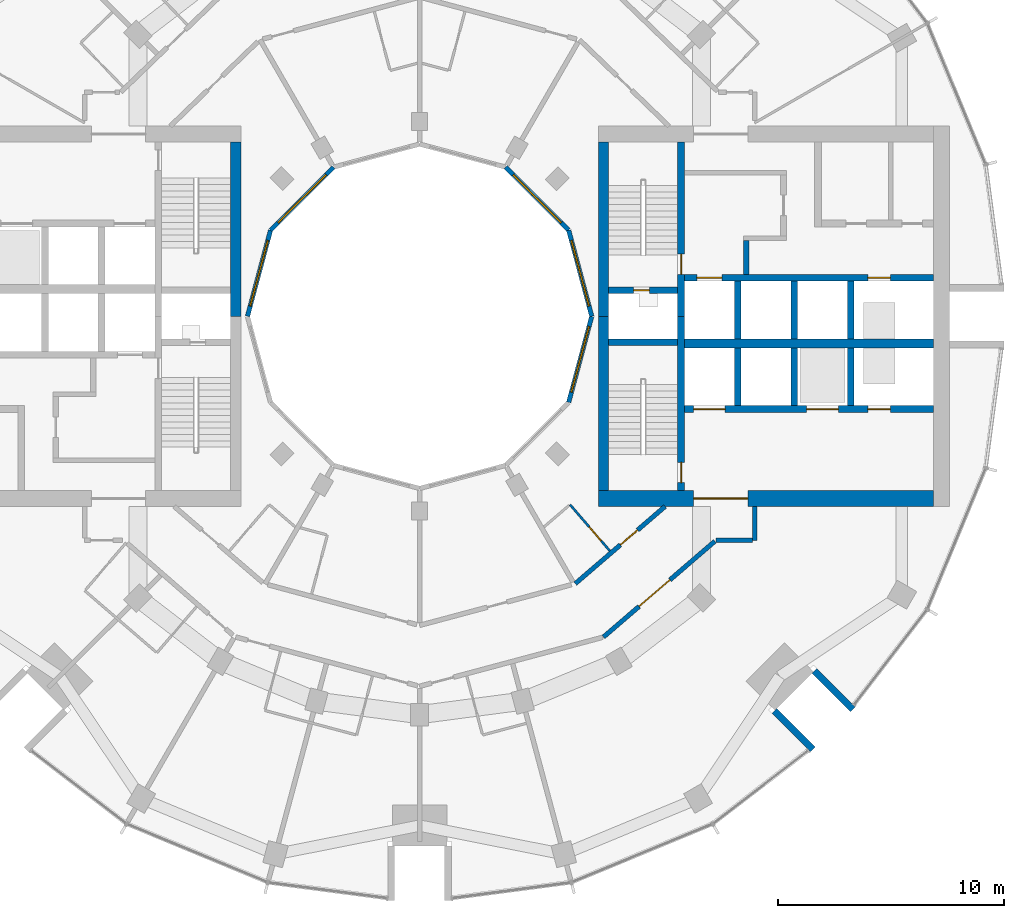
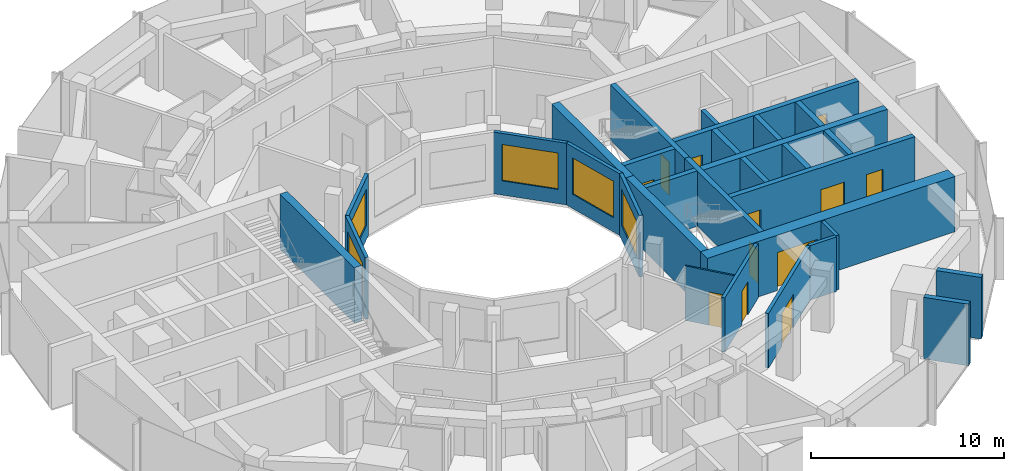
# One storey, part 10 of 15: 30 walls, 12 doors, 5 windows, 17 openings.
"""IFC4 building model written with IfcOpenShell, lengths in metres."""

from ifc_helpers import new_model, si_unit, direction, frame, frame_2d, origin, place, context, subcontext, project, spatial, rectangle, extrude, material, layer, layer_set, type_object, element, fill, save


model = new_model("IFC4")

# Units and contexts
model_context = context("Model", 3, precision=1e-05, world=origin(), true_north=direction((0.0, 1.0)))
body_context = subcontext(model_context, "Body", "Model", "MODEL_VIEW")
ifc_project = project(units=[si_unit("LENGTHUNIT", "METRE"), si_unit("AREAUNIT", "SQUARE_METRE"), si_unit("VOLUMEUNIT", "CUBIC_METRE"), si_unit("PLANEANGLEUNIT", "RADIAN"), si_unit("MASSUNIT", "GRAM", prefix="KILO")], contexts=[model_context])

# Site, building, storey
site_placement = place(None, origin())
site = spatial("IfcSite", under=ifc_project, at=site_placement, CompositionType="ELEMENT")
building_placement = place(site_placement, origin())
building = spatial("IfcBuilding", under=site, at=building_placement, Name="Torre Brocal", CompositionType="ELEMENT")
storey_placement = place(building_placement, frame((0.0, 0.0, 145.800048828125)))
storey = spatial("IfcBuildingStorey", under=building, at=storey_placement, Name="L34", CompositionType="ELEMENT", Elevation=145.800048828125)

# Wall
ifc_material_1 = material(Name="Concrete C70", Category="concrete")
ifc_layer_1 = layer(ifc_material_1, 0.25)
ifc_layer_set_1 = layer_set([ifc_layer_1], Name="Concrete C70")
wall_type_1 = type_object("IfcWallType", Name="CORE WALL 250 C70 UNDER 400 SLAB", PredefinedType="SHEAR", material=ifc_layer_set_1)
wall_1_placement = place(storey_placement, frame((94.425048828125, 76.85009765625, 0.0), z_axis=(0.0, 0.0, 1.0), x_axis=(0.0, 1.0, 0.0)))
element("IfcWall", 1, at=wall_1_placement, inside=storey, type_object=wall_type_1, Name="Wall CW250-70-S400", PredefinedType="SHEAR", context=body_context, shape_type="SweptSolid", body=[
    extrude(rectangle(XDim=1.5, YDim=0.25, at=frame_2d((0.75, 0.0))), origin(), (0.0, 0.0, 1.0), 3.5),
])

# Wall, opening, door
ifc_material_2 = material(Name="Concrete C70", Category="concrete")
ifc_layer_2 = layer(ifc_material_2, 0.300048828125)
ifc_layer_set_2 = layer_set([ifc_layer_2], Name="Concrete C70")
wall_type_2 = type_object("IfcWallType", Name="CORE WALL 300 C70 UNDER 400 SLAB", PredefinedType="SHEAR", material=ifc_layer_set_2)
wall_2_placement = place(storey_placement, frame((91.550048828125, 75.0, 0.0), z_axis=(0.0, 0.0, 1.0), x_axis=(0.0, 1.0, 0.0)))
wall_2 = element("IfcWall", 2, at=wall_2_placement, inside=storey, type_object=wall_type_2, Name="Wall CW300-70-S400", PredefinedType="SHEAR", context=body_context, shape_type="SweptSolid", body=[
    extrude(rectangle(XDim=7.699951171875, YDim=0.300048828125, at=frame_2d((3.85009765625, 0.0))), origin(), (0.0, 0.0, 1.0), 3.5),
])
opening_1_placement = place(wall_2_placement, frame((1.85009765625, 0.0, 0.0)))
opening_1 = element("IfcOpeningElement", 3, at=opening_1_placement, cuts=wall_2, Name="Opening E-D02", PredefinedType="OPENING", context=body_context, shape_type="SweptSolid", body=[
    extrude(rectangle(XDim=0.89990234375, YDim=2.10009765625, at=frame_2d((0.449951171875, 1.050048828125))), frame((0.0, 0.159912109375, 0.0), z_axis=(0.0, -1.0, 0.0), x_axis=(1.0, 0.0, 0.0)), (0.0, 0.0, 1.0), 0.320068359375),
])
ifc_material_3 = material(Name="Steel A653", Category="steel")
door_type_1 = type_object("IfcDoorType", Name="STAIR DOOR FD120 900X2100", OperationType="SINGLE_SWING_RIGHT", PredefinedType="DOOR", material=ifc_material_3)
door_1_placement = place(opening_1_placement, origin())
door_1 = element("IfcDoor", 4, at=door_1_placement, inside=storey, type_object=door_type_1, Name="Door E-D02", OperationType="SINGLE_SWING_LEFT", OverallHeight=2.10009765625, OverallWidth=0.89990234375, PredefinedType="DOOR", context=body_context, shape_type="SweptSolid", body=[
    extrude(rectangle(XDim=0.89990234375, YDim=2.10009765625, at=frame_2d((0.449951171875, 1.050048828125))), frame((0.0, 0.02490234375, 0.0), z_axis=(0.0, -1.0, 0.0), x_axis=(1.0, 0.0, 0.0)), (0.0, 0.0, 1.0), 0.050048828125),
])
fill(opening_1, door_1)

wall_3_placement = place(storey_placement, frame((91.550048828125, 67.300048828125, 0.0), z_axis=(0.0, 0.0, 1.0), x_axis=(0.0, 1.0, 0.0)))
wall_3 = element("IfcWall", 5, at=wall_3_placement, inside=storey, type_object=wall_type_2, Name="Wall CW300-70-S400", PredefinedType="SHEAR", context=body_context, shape_type="SweptSolid", body=[
    extrude(rectangle(XDim=7.699951171875, YDim=0.300048828125, at=frame_2d((3.85009765625, 0.0))), origin(), (0.0, 0.0, 1.0), 3.5),
])
opening_2_placement = place(wall_3_placement, frame((0.35009765625, 0.0, 0.0)))
opening_2 = element("IfcOpeningElement", 6, at=opening_2_placement, cuts=wall_3, Name="Opening E-D03", PredefinedType="OPENING", context=body_context, shape_type="SweptSolid", body=[
    extrude(rectangle(XDim=0.89990234375, YDim=2.10009765625, at=frame_2d((0.449951171875, 1.050048828125))), frame((0.0, 0.159912109375, 0.0), z_axis=(0.0, -1.0, 0.0), x_axis=(1.0, 0.0, 0.0)), (0.0, 0.0, 1.0), 0.320068359375),
])
door_2_placement = place(opening_2_placement, origin())
door_2 = element("IfcDoor", 7, at=door_2_placement, inside=storey, type_object=door_type_1, Name="Door E-D03", OperationType="SINGLE_SWING_LEFT", OverallHeight=2.10009765625, OverallWidth=0.89990234375, PredefinedType="DOOR", context=body_context, shape_type="SweptSolid", body=[
    extrude(rectangle(XDim=0.89990234375, YDim=2.10009765625, at=frame_2d((0.449951171875, 1.050048828125))), frame((0.0, 0.02490234375, 0.0), z_axis=(0.0, -1.0, 0.0), x_axis=(1.0, 0.0, 0.0)), (0.0, 0.0, 1.0), 0.050048828125),
])
fill(opening_2, door_2)

wall_4_placement = place(storey_placement, frame((88.35009765625, 76.14990234375, 0.0), z_axis=(0.0, 0.0, 1.0), x_axis=(1.0, 0.0, 0.0)))
wall_4 = element("IfcWall", 8, at=wall_4_placement, inside=storey, type_object=wall_type_2, Name="Wall CW300-70-S400", PredefinedType="SHEAR", context=body_context, shape_type="SweptSolid", body=[
    extrude(rectangle(XDim=3.0498046875, YDim=0.300048828125, at=frame_2d((1.52490234375, 0.0))), origin(), (0.0, 0.0, 1.0), 3.5),
])
opening_3_placement = place(wall_4_placement, frame((1.10009765625, 0.0, 0.0)))
opening_3 = element("IfcOpeningElement", 9, at=opening_3_placement, cuts=wall_4, Name="Opening E-D01", PredefinedType="OPENING", context=body_context, shape_type="SweptSolid", body=[
    extrude(rectangle(XDim=0.699951171875, YDim=2.0, at=frame_2d((0.35009765625, 1.0))), frame((0.0, 0.159912109375, 0.0), z_axis=(0.0, -1.0, 0.0), x_axis=(1.0, 0.0, 0.0)), (0.0, 0.0, 1.0), 0.320068359375),
])
ifc_material_4 = material(Name="Steel A653", Category="steel")
door_type_2 = type_object("IfcDoorType", Name="RISER DOOR FD120 700X2000", OperationType="SINGLE_SWING_LEFT", PredefinedType="DOOR", material=ifc_material_4)
door_3_placement = place(opening_3_placement, frame((0.699951171875, 0.0, 0.0), z_axis=(0.0, 0.0, 1.0), x_axis=(-1.0, 0.0, 0.0)))
door_3 = element("IfcDoor", 10, at=door_3_placement, inside=storey, type_object=door_type_2, Name="Door E-D01", OperationType="SINGLE_SWING_RIGHT", OverallHeight=2.0, OverallWidth=0.699951171875, PredefinedType="DOOR", context=body_context, shape_type="SweptSolid", body=[
    extrude(rectangle(XDim=0.699951171875, YDim=2.0, at=frame_2d((0.35009765625, 1.0))), frame((0.0, 0.02490234375, 0.0), z_axis=(0.0, -1.0, 0.0), x_axis=(1.0, 0.0, 0.0)), (0.0, 0.0, 1.0), 0.050048828125),
])
fill(opening_3, door_3)

# Wall
wall_5_placement = place(storey_placement, frame((88.35009765625, 73.85009765625, 0.0), z_axis=(0.0, 0.0, 1.0), x_axis=(1.0, 0.0, 0.0)))
element("IfcWall", 11, at=wall_5_placement, inside=storey, type_object=wall_type_2, Name="Wall CW300-70-S400", PredefinedType="SHEAR", context=body_context, shape_type="SweptSolid", body=[
    extrude(rectangle(XDim=3.0498046875, YDim=0.300048828125, at=frame_2d((1.52490234375, 0.0))), origin(), (0.0, 0.0, 1.0), 3.5),
])

# Wall, openings, doors
wall_6_placement = place(storey_placement, frame((91.699951171875, 76.699951171875, 0.0), z_axis=(0.0, 0.0, 1.0), x_axis=(1.0, 0.0, 0.0)))
wall_6 = element("IfcWall", 12, at=wall_6_placement, inside=storey, type_object=wall_type_2, Name="Wall CW300-70-S400", PredefinedType="SHEAR", context=body_context, shape_type="SweptSolid", body=[
    extrude(rectangle(XDim=11.0, YDim=0.300048828125, at=frame_2d((5.5, 0.0))), origin(), (0.0, 0.0, 1.0), 3.5),
])
opening_4_placement = place(wall_6_placement, frame((0.550048828125, 0.0, 0.0)))
opening_4 = element("IfcOpeningElement", 13, at=opening_4_placement, cuts=wall_6, Name="Opening LD", PredefinedType="OPENING", context=body_context, shape_type="SweptSolid", body=[
    extrude(rectangle(XDim=1.10009765625, YDim=2.10009765625, at=frame_2d((0.550048828125, 1.050048828125))), frame((0.0, 0.159912109375, 0.0), z_axis=(0.0, -1.0, 0.0), x_axis=(1.0, 0.0, 0.0)), (0.0, 0.0, 1.0), 0.320068359375),
])
opening_5_placement = place(wall_6_placement, frame((8.10009765625, 0.0, 0.0)))
opening_5 = element("IfcOpeningElement", 14, at=opening_5_placement, cuts=wall_6, Name="Opening LD10", PredefinedType="OPENING", context=body_context, shape_type="SweptSolid", body=[
    extrude(rectangle(XDim=1.0, YDim=2.10009765625, at=frame_2d((0.5, 1.050048828125))), frame((0.0, 0.159912109375, 0.0), z_axis=(0.0, -1.0, 0.0), x_axis=(1.0, 0.0, 0.0)), (0.0, 0.0, 1.0), 0.320068359375),
])
ifc_material_5 = material(Name="Stainless steel AISI 316", Category="steel")
door_type_3 = type_object("IfcDoorType", Name="LIFT LANDING DOOR 1000X2100", OperationType="DOUBLE_DOOR_SLIDING", PredefinedType="DOOR", material=ifc_material_5)
door_4_placement = place(opening_5_placement, origin())
door_4 = element("IfcDoor", 15, at=door_4_placement, inside=storey, type_object=door_type_3, Name="Door LD10", OperationType="DOUBLE_DOOR_SLIDING", OverallHeight=2.10009765625, OverallWidth=1.0, PredefinedType="DOOR", context=body_context, shape_type="SweptSolid", body=[
    extrude(rectangle(XDim=1.0, YDim=2.10009765625, at=frame_2d((0.5, 1.050048828125))), frame((0.0, 0.02490234375, 0.0), z_axis=(0.0, -1.0, 0.0), x_axis=(1.0, 0.0, 0.0)), (0.0, 0.0, 1.0), 0.050048828125),
])
fill(opening_5, door_4)
ifc_material_6 = material(Name="Stainless steel AISI 316", Category="steel")
door_type_4 = type_object("IfcDoorType", Name="LIFT LANDING DOOR 1100X2100", OperationType="DOUBLE_DOOR_SLIDING", PredefinedType="DOOR", material=ifc_material_6)
door_5_placement = place(opening_4_placement, origin())
door_5 = element("IfcDoor", 16, at=door_5_placement, inside=storey, type_object=door_type_4, Name="Door LD", OperationType="DOUBLE_DOOR_SLIDING", OverallHeight=2.10009765625, OverallWidth=1.10009765625, PredefinedType="DOOR", context=body_context, shape_type="SweptSolid", body=[
    extrude(rectangle(XDim=1.10009765625, YDim=2.10009765625, at=frame_2d((0.550048828125, 1.050048828125))), frame((0.0, 0.02490234375, 0.0), z_axis=(0.0, -1.0, 0.0), x_axis=(1.0, 0.0, 0.0)), (0.0, 0.0, 1.0), 0.050048828125),
])
fill(opening_4, door_5)

wall_7_placement = place(storey_placement, frame((91.699951171875, 70.89990234375, 0.0), z_axis=(0.0, 0.0, 1.0), x_axis=(1.0, 0.0, 0.0)))
wall_7 = element("IfcWall", 17, at=wall_7_placement, inside=storey, type_object=wall_type_2, Name="Wall CW300-70-S400", PredefinedType="SHEAR", context=body_context, shape_type="SweptSolid", body=[
    extrude(rectangle(XDim=11.0, YDim=0.300048828125, at=frame_2d((5.5, 0.0))), origin(), (0.0, 0.0, 1.0), 3.5),
])
opening_6_placement = place(wall_7_placement, frame((0.39990234375, 0.0, 0.0)))
opening_6 = element("IfcOpeningElement", 18, at=opening_6_placement, cuts=wall_7, Name="Opening LD14", PredefinedType="OPENING", context=body_context, shape_type="SweptSolid", body=[
    extrude(rectangle(XDim=1.39990234375, YDim=2.10009765625, at=frame_2d((0.699951171875, 1.050048828125))), frame((0.0, 0.159912109375, 0.0), z_axis=(0.0, -1.0, 0.0), x_axis=(1.0, 0.0, 0.0)), (0.0, 0.0, 1.0), 0.320068359375),
])
opening_7_placement = place(wall_7_placement, frame((5.39990234375, 0.0, 0.0)))
opening_7 = element("IfcOpeningElement", 19, at=opening_7_placement, cuts=wall_7, Name="Opening LD14", PredefinedType="OPENING", context=body_context, shape_type="SweptSolid", body=[
    extrude(rectangle(XDim=1.39990234375, YDim=2.10009765625, at=frame_2d((0.699951171875, 1.050048828125))), frame((0.0, 0.159912109375, 0.0), z_axis=(0.0, -1.0, 0.0), x_axis=(1.0, 0.0, 0.0)), (0.0, 0.0, 1.0), 0.320068359375),
])
opening_8_placement = place(wall_7_placement, frame((8.10009765625, 0.0, 0.0)))
opening_8 = element("IfcOpeningElement", 20, at=opening_8_placement, cuts=wall_7, Name="Opening LD10", PredefinedType="OPENING", context=body_context, shape_type="SweptSolid", body=[
    extrude(rectangle(XDim=1.0, YDim=2.10009765625, at=frame_2d((0.5, 1.050048828125))), frame((0.0, 0.159912109375, 0.0), z_axis=(0.0, -1.0, 0.0), x_axis=(1.0, 0.0, 0.0)), (0.0, 0.0, 1.0), 0.320068359375),
])
door_6_placement = place(opening_8_placement, origin())
door_6 = element("IfcDoor", 21, at=door_6_placement, inside=storey, type_object=door_type_3, Name="Door LD10", OperationType="DOUBLE_DOOR_SLIDING", OverallHeight=2.10009765625, OverallWidth=1.0, PredefinedType="DOOR", context=body_context, shape_type="SweptSolid", body=[
    extrude(rectangle(XDim=1.0, YDim=2.10009765625, at=frame_2d((0.5, 1.050048828125))), frame((0.0, 0.02490234375, 0.0), z_axis=(0.0, -1.0, 0.0), x_axis=(1.0, 0.0, 0.0)), (0.0, 0.0, 1.0), 0.050048828125),
])
fill(opening_8, door_6)
ifc_material_7 = material(Name="Stainless steel AISI 316", Category="steel")
door_type_5 = type_object("IfcDoorType", Name="LIFT LANDING DOOR 1400X2100", OperationType="DOUBLE_DOOR_SLIDING", PredefinedType="DOOR", material=ifc_material_7)
door_7_placement = place(opening_6_placement, origin())
door_7 = element("IfcDoor", 22, at=door_7_placement, inside=storey, type_object=door_type_5, Name="Door LD14", OperationType="DOUBLE_DOOR_SLIDING", OverallHeight=2.10009765625, OverallWidth=1.39990234375, PredefinedType="DOOR", context=body_context, shape_type="SweptSolid", body=[
    extrude(rectangle(XDim=1.39990234375, YDim=2.10009765625, at=frame_2d((0.699951171875, 1.050048828125))), frame((0.0, 0.02490234375, 0.0), z_axis=(0.0, -1.0, 0.0), x_axis=(1.0, 0.0, 0.0)), (0.0, 0.0, 1.0), 0.050048828125),
])
fill(opening_6, door_7)
door_8_placement = place(opening_7_placement, origin())
door_8 = element("IfcDoor", 23, at=door_8_placement, inside=storey, type_object=door_type_5, Name="Door LD14", OperationType="DOUBLE_DOOR_SLIDING", OverallHeight=2.10009765625, OverallWidth=1.39990234375, PredefinedType="DOOR", context=body_context, shape_type="SweptSolid", body=[
    extrude(rectangle(XDim=1.39990234375, YDim=2.10009765625, at=frame_2d((0.699951171875, 1.050048828125))), frame((0.0, 0.02490234375, 0.0), z_axis=(0.0, -1.0, 0.0), x_axis=(1.0, 0.0, 0.0)), (0.0, 0.0, 1.0), 0.050048828125),
])
fill(opening_7, door_8)

# Walls
for number, where, z_axis, x_axis, name in (
    (24, (94.050048828125, 74.0, 0.0), (0.0, 0.0, 1.0), (0.0, 1.0, 0.0), "Wall CW300-70-S400"),
    (25, (96.550048828125, 74.0, 0.0), (0.0, 0.0, 1.0), (0.0, 1.0, 0.0), "Wall CW300-70-S400"),
    (26, (99.050048828125, 74.0, 0.0), (0.0, 0.0, 1.0), (0.0, 1.0, 0.0), "Wall CW300-70-S400"),
    (27, (94.050048828125, 71.050048828125, 0.0), (0.0, 0.0, 1.0), (0.0, 1.0, 0.0), "Wall CW300-70-S400"),
    (28, (96.550048828125, 71.050048828125, 0.0), (0.0, 0.0, 1.0), (0.0, 1.0, 0.0), "Wall CW300-70-S400"),
    (29, (99.050048828125, 71.050048828125, 0.0), (0.0, 0.0, 1.0), (0.0, 1.0, 0.0), "Wall CW300-70-S400"),
):
    element("IfcWall", number, at=place(storey_placement, frame(where, z_axis=z_axis, x_axis=x_axis)), inside=storey, type_object=wall_type_2, Name=name, PredefinedType="SHEAR", context=body_context, shape_type="SweptSolid", body=[
        extrude(rectangle(XDim=2.550048828125, YDim=0.300048828125, at=frame_2d((1.27490234375, 0.0))), origin(), (0.0, 0.0, 1.0), 3.5),
    ])
ifc_material_8 = material(Name="Concrete C70", Category="concrete")
ifc_layer_3 = layer(ifc_material_8, 0.39990234375)
ifc_layer_set_3 = layer_set([ifc_layer_3], Name="Concrete C70")
wall_type_3 = type_object("IfcWallType", Name="CORE WALL 400 C70 UNDER 400 SLAB", PredefinedType="SHEAR", material=ifc_layer_set_3)
wall_8_placement = place(storey_placement, frame((91.699951171875, 73.800048828125, 0.0), z_axis=(0.0, 0.0, 1.0), x_axis=(1.0, 0.0, 0.0)))
element("IfcWall", 30, at=wall_8_placement, inside=storey, type_object=wall_type_3, Name="Wall CW400-70-S400", PredefinedType="SHEAR", context=body_context, shape_type="SweptSolid", body=[
    extrude(rectangle(XDim=11.0, YDim=0.39990234375, at=frame_2d((5.5, 0.0))), origin(), (0.0, 0.0, 1.0), 3.5),
])
ifc_material_9 = material(Name="Concrete C70", Category="concrete")
ifc_layer_4 = layer(ifc_material_9, 0.449951171875)
ifc_layer_set_4 = layer_set([ifc_layer_4], Name="Concrete C70")
wall_type_4 = type_object("IfcWallType", Name="CORE WALL 450 C70 UNDER 400 SLAB", PredefinedType="SHEAR", material=ifc_layer_set_4)
for number, where, z_axis, x_axis, name in (
    (31, (88.125, 75.0, 0.0), (0.0, 0.0, 1.0), (0.0, 1.0, 0.0), "Wall CW450-70-S400"),
    (32, (88.125, 67.300048828125, 0.0), (0.0, 0.0, 1.0), (0.0, 1.0, 0.0), "Wall CW450-70-S400"),
    (33, (71.875, 82.699951171875, 0.0), (0.0, 0.0, 1.0), (0.0, -1.0, 0.0), "Wall CW450-70-S400"),
):
    element("IfcWall", number, at=place(storey_placement, frame(where, z_axis=z_axis, x_axis=x_axis)), inside=storey, type_object=wall_type_4, Name=name, PredefinedType="SHEAR", context=body_context, shape_type="SweptSolid", body=[
        extrude(rectangle(XDim=7.699951171875, YDim=0.449951171875, at=frame_2d((3.85009765625, 0.0))), origin(), (0.0, 0.0, 1.0), 3.5),
    ])

# Wall, opening, door
ifc_material_10 = material(Name="Concrete C70", Category="concrete")
ifc_layer_5 = layer(ifc_material_10, 0.699951171875)
ifc_layer_set_5 = layer_set([ifc_layer_5], Name="Concrete C70")
wall_type_5 = type_object("IfcWallType", Name="CORE WALL 700 C70 UNDER 400 SLAB", PredefinedType="SHEAR", material=ifc_layer_set_5)
wall_9_placement = place(storey_placement, frame((87.89990234375, 66.949951171875, 0.0), z_axis=(0.0, 0.0, 1.0), x_axis=(1.0, 0.0, 0.0)))
wall_9 = element("IfcWall", 34, at=wall_9_placement, inside=storey, type_object=wall_type_5, Name="Wall CW700-70-S400", PredefinedType="SHEAR", context=body_context, shape_type="SweptSolid", body=[
    extrude(rectangle(XDim=14.800048828125, YDim=0.699951171875, at=frame_2d((7.39990234375, 0.0))), origin(), (0.0, 0.0, 1.0), 3.5),
])
opening_9_placement = place(wall_9_placement, frame((4.199951171875, 0.0, 0.0)))
opening_9 = element("IfcOpeningElement", 35, at=opening_9_placement, cuts=wall_9, Name="Opening E-D27", PredefinedType="OPENING", context=body_context, shape_type="SweptSolid", body=[
    extrude(rectangle(XDim=2.39990234375, YDim=2.39990234375, at=frame_2d((1.199951171875, 1.199951171875))), frame((0.0, 0.35986328125, 0.0), z_axis=(0.0, -1.0, 0.0), x_axis=(1.0, 0.0, 0.0)), (0.0, 0.0, 1.0), 0.719970703125),
])
ifc_material_11 = material(Name="Steel A653", Category="steel")
door_type_6 = type_object("IfcDoorType", Name="DOUBLE FIRE DOOR FD90 2400X2400", OperationType="DOUBLE_DOOR_SINGLE_SWING", PredefinedType="DOOR", material=ifc_material_11)
door_9_placement = place(opening_9_placement, origin())
door_9 = element("IfcDoor", 36, at=door_9_placement, inside=storey, type_object=door_type_6, Name="Door E-D27", OperationType="DOUBLE_DOOR_SINGLE_SWING", OverallHeight=2.39990234375, OverallWidth=2.39990234375, PredefinedType="DOOR", context=body_context, shape_type="SweptSolid", body=[
    extrude(rectangle(XDim=2.39990234375, YDim=2.39990234375, at=frame_2d((1.199951171875, 1.199951171875))), frame((0.0, 0.02490234375, 0.0), z_axis=(0.0, -1.0, 0.0), x_axis=(1.0, 0.0, 0.0)), (0.0, 0.0, 1.0), 0.050048828125),
])
fill(opening_9, door_9)

# Walls
ifc_material_12 = material(Name="Concrete C70", Category="concrete")
ifc_layer_6 = layer(ifc_material_12, 0.300048828125)
ifc_layer_set_6 = layer_set([ifc_layer_6], Name="Concrete C70")
wall_type_6 = type_object("IfcWallType", Name="NOTCH RETURN WALL 300 C70", PredefinedType="NOTDEFINED", material=ifc_layer_set_6)
for number, where, z_axis, x_axis, name in (
    (37, (95.662353515625, 57.56982421875, 0.0), (0.0, 0.0, 1.0), (0.707106781187, -0.707106781187, 0.0), "NOTCH RETURN WALL"),
    (38, (97.43017578125, 59.337646484375, 0.0), (0.0, 0.0, 1.0), (0.707106781187, -0.707106781187, 0.0), "NOTCH RETURN WALL"),
):
    element("IfcWall", number, at=place(storey_placement, frame(where, z_axis=z_axis, x_axis=x_axis)), inside=storey, type_object=wall_type_6, Name=name, PredefinedType="NOTDEFINED", context=body_context, shape_type="SweptSolid", body=[
        extrude(rectangle(XDim=2.415771484375, YDim=0.300048828125, at=frame_2d((1.2080078125, 0.0))), origin(), (0.0, 0.0, 1.0), 3.89990234375),
    ])

# Wall, opening, door
ifc_material_13 = material(Name="Gypsum board", Category="Gypsum")
ifc_layer_7 = layer(ifc_material_13, 0.10009765625)
ifc_layer_set_7 = layer_set([ifc_layer_7], Name="Gypsum board")
wall_type_7 = type_object("IfcWallType", Name="PARTITION 100", PredefinedType="PARTITIONING", material=ifc_layer_set_7)
wall_10_placement = place(storey_placement, frame((86.64306640625, 66.680908203125, 0.0), z_axis=(0.0, 0.0, 1.0), x_axis=(0.652264876065, -0.757991115682, 0.0)))
wall_10 = element("IfcWall", 39, at=wall_10_placement, inside=storey, type_object=wall_type_7, Name="BATHROOM WALL", PredefinedType="PARTITIONING", context=body_context, shape_type="SweptSolid", body=[
    extrude(rectangle(XDim=2.699462890625, YDim=0.10009765625, at=frame_2d((1.349609375, 0.0))), origin(), (0.0, 0.0, 1.0), 3.449951171875),
])
opening_10_placement = place(wall_10_placement, frame((1.2998046875, 0.0, 0.0)))
opening_10 = element("IfcOpeningElement", 40, at=opening_10_placement, cuts=wall_10, Name="Opening E03-D35", PredefinedType="OPENING", context=body_context, shape_type="SweptSolid", body=[
    extrude(rectangle(XDim=0.800048828125, YDim=2.10009765625, at=frame_2d((0.39990234375, 1.050048828125))), frame((0.0, 0.06005859375, 0.0), z_axis=(0.0, -1.0, 0.0), x_axis=(1.0, 0.0, 0.0)), (0.0, 0.0, 1.0), 0.1201171875),
])
ifc_material_14 = material(Name="Timber", Category="wood")
door_type_7 = type_object("IfcDoorType", Name="BATHROOM DOOR 800X2100", OperationType="SINGLE_SWING_LEFT", PredefinedType="DOOR", material=ifc_material_14)
door_10_placement = place(opening_10_placement, frame((0.800048828125, 0.0, 0.0), z_axis=(0.0, 0.0, 1.0), x_axis=(-1.0, 0.0, 0.0)))
door_10 = element("IfcDoor", 41, at=door_10_placement, inside=storey, type_object=door_type_7, Name="E03-D35", OperationType="SINGLE_SWING_LEFT", OverallHeight=2.10009765625, OverallWidth=0.800048828125, PredefinedType="DOOR", context=body_context, shape_type="SweptSolid", body=[
    extrude(rectangle(XDim=0.800048828125, YDim=2.10009765625, at=frame_2d((0.39990234375, 1.050048828125))), frame((0.0, 0.02490234375, 0.0), z_axis=(0.0, -1.0, 0.0), x_axis=(1.0, 0.0, 0.0)), (0.0, 0.0, 1.0), 0.050048828125),
])
fill(opening_10, door_10)

ifc_material_15 = material(Name="Gypsum board", Category="Gypsum")
ifc_layer_8 = layer(ifc_material_15, 0.199951171875)
ifc_layer_set_8 = layer_set([ifc_layer_8], Name="Gypsum board")
wall_type_8 = type_object("IfcWallType", Name="PARTITION 200 EI60", PredefinedType="PARTITIONING", material=ifc_layer_set_8)
wall_11_placement = place(storey_placement, frame((86.876953125, 63.189208984375, 0.0), z_axis=(0.0, 0.0, 1.0), x_axis=(0.758164888471, 0.652062881853, 0.0)))
wall_11 = element("IfcWall", 42, at=wall_11_placement, inside=storey, type_object=wall_type_8, Name="GUESTROOM CORRIDOR WALL", PredefinedType="PARTITIONING", context=body_context, shape_type="SweptSolid", body=[
    extrude(rectangle(XDim=5.230224609375, YDim=0.199951171875, at=frame_2d((2.615234375, 0.0))), origin(), (0.0, 0.0, 1.0), 3.449951171875),
])
opening_11_placement = place(wall_11_placement, frame((2.63037109375, 0.0, 0.0)))
opening_11 = element("IfcOpeningElement", 43, at=opening_11_placement, cuts=wall_11, Name="Opening E03-D34", PredefinedType="OPENING", context=body_context, shape_type="SweptSolid", body=[
    extrude(rectangle(XDim=1.0, YDim=2.10009765625, at=frame_2d((0.5, 1.050048828125))), frame((0.0, 0.10986328125, 0.0), z_axis=(0.0, -1.0, 0.0), x_axis=(1.0, 0.0, 0.0)), (0.0, 0.0, 1.0), 0.219970703125),
])
ifc_material_16 = material(Name="Timber", Category="wood")
door_type_8 = type_object("IfcDoorType", Name="FLAT ENTRY DOOR FD30S 1000X2100", OperationType="SINGLE_SWING_RIGHT", PredefinedType="DOOR", material=ifc_material_16)
door_11_placement = place(opening_11_placement, origin())
door_11 = element("IfcDoor", 44, at=door_11_placement, inside=storey, type_object=door_type_8, Name="E03-D34", OperationType="SINGLE_SWING_LEFT", OverallHeight=2.10009765625, OverallWidth=1.0, PredefinedType="DOOR", context=body_context, shape_type="SweptSolid", body=[
    extrude(rectangle(XDim=1.0, YDim=2.10009765625, at=frame_2d((0.5, 1.050048828125))), frame((0.0, 0.02490234375, 0.0), z_axis=(0.0, -1.0, 0.0), x_axis=(1.0, 0.0, 0.0)), (0.0, 0.0, 1.0), 0.050048828125),
])
fill(opening_11, door_11)

wall_12_placement = place(storey_placement, frame((88.122802734375, 60.8310546875, 0.0), z_axis=(0.0, 0.0, 1.0), x_axis=(0.758118199374, 0.652117164149, 0.0)))
wall_12 = element("IfcWall", 45, at=wall_12_placement, inside=storey, type_object=wall_type_8, Name="CORRIDOR WALL", PredefinedType="PARTITIONING", context=body_context, shape_type="SweptSolid", body=[
    extrude(rectangle(XDim=6.48583984375, YDim=0.199951171875, at=frame_2d((3.242919921875, 0.0))), origin(), (0.0, 0.0, 1.0), 3.449951171875),
])
opening_12_placement = place(wall_12_placement, frame((2.07275390625, 0.0, 0.0)))
opening_12 = element("IfcOpeningElement", 46, at=opening_12_placement, cuts=wall_12, Name="Opening E03-D23", PredefinedType="OPENING", context=body_context, shape_type="SweptSolid", body=[
    extrude(rectangle(XDim=1.800048828125, YDim=2.10009765625, at=frame_2d((0.89990234375, 1.050048828125))), frame((0.0, 0.10986328125, 0.0), z_axis=(0.0, -1.0, 0.0), x_axis=(1.0, 0.0, 0.0)), (0.0, 0.0, 1.0), 0.219970703125),
])
ifc_material_17 = material(Name="Timber", Category="wood")
door_type_9 = type_object("IfcDoorType", Name="DOUBLE DOOR 1800X2100", OperationType="DOUBLE_DOOR_SINGLE_SWING", PredefinedType="DOOR", material=ifc_material_17)
door_12_placement = place(opening_12_placement, frame((1.800048828125, 0.0, 0.0), z_axis=(0.0, 0.0, 1.0), x_axis=(-1.0, 0.0, 0.0)))
door_12 = element("IfcDoor", 47, at=door_12_placement, inside=storey, type_object=door_type_9, Name="E03-D23", OperationType="DOUBLE_DOOR_SINGLE_SWING", OverallHeight=2.10009765625, OverallWidth=1.800048828125, PredefinedType="DOOR", context=body_context, shape_type="SweptSolid", body=[
    extrude(rectangle(XDim=1.800048828125, YDim=2.10009765625, at=frame_2d((0.89990234375, 1.050048828125))), frame((0.0, 0.02490234375, 0.0), z_axis=(0.0, -1.0, 0.0), x_axis=(1.0, 0.0, 0.0)), (0.0, 0.0, 1.0), 0.050048828125),
])
fill(opening_12, door_12)

# Walls
wall_13_placement = place(storey_placement, frame((93.0849609375, 65.10009765625, 0.0), z_axis=(0.0, 0.0, 1.0), x_axis=(1.0, 0.0, 0.0)))
element("IfcWall", 48, at=wall_13_placement, inside=storey, type_object=wall_type_8, Name="CORRIDOR WALL", PredefinedType="PARTITIONING", context=body_context, shape_type="SweptSolid", body=[
    extrude(rectangle(XDim=1.614990234375, YDim=0.199951171875, at=frame_2d((0.8076171875, 0.0))), origin(), (0.0, 0.0, 1.0), 3.449951171875),
])
wall_14_placement = place(storey_placement, frame((94.800048828125, 65.10009765625, 0.0), z_axis=(0.0, 0.0, 1.0), x_axis=(0.0, 1.0, 0.0)))
element("IfcWall", 49, at=wall_14_placement, inside=storey, type_object=wall_type_8, Name="CORRIDOR WALL", PredefinedType="PARTITIONING", context=body_context, shape_type="SweptSolid", body=[
    extrude(rectangle(XDim=1.4990234375, YDim=0.199951171875, at=frame_2d((0.74951171875, 0.0))), origin(), (0.0, 0.0, 1.0), 3.449951171875),
])

# Wall, opening, window
ifc_material_18 = material(Name="Concrete C40", Category="concrete")
ifc_layer_9 = layer(ifc_material_18, 0.199951171875)
ifc_layer_set_9 = layer_set([ifc_layer_9], Name="Concrete C40")
wall_type_9 = type_object("IfcWallType", Name="WELL FACADE WALL 200", PredefinedType="NOTDEFINED", material=ifc_layer_set_9)
wall_15_placement = place(storey_placement, frame((87.603515625, 75.0, 0.0), z_axis=(0.0, 0.0, 1.0), x_axis=(-0.258789828301, 0.965933654434, 0.0)))
wall_15 = element("IfcWall", 50, at=wall_15_placement, inside=storey, type_object=wall_type_9, Name="WELL FACADE WALL", PredefinedType="NOTDEFINED", context=body_context, shape_type="SweptSolid", body=[
    extrude(rectangle(XDim=3.935791015625, YDim=0.199951171875, at=frame_2d((1.9677734375, 0.0))), origin(), (0.0, 0.0, 1.0), 3.89990234375),
])
opening_13_placement = place(wall_15_placement, frame((0.468017578125, 0.0, 0.89990234375)))
opening_13 = element("IfcOpeningElement", 51, at=opening_13_placement, cuts=wall_15, Name="Opening W1", PredefinedType="OPENING", context=body_context, shape_type="SweptSolid", body=[
    extrude(rectangle(XDim=3.0, YDim=2.300048828125, at=frame_2d((1.5, 1.14990234375))), frame((0.0, 0.10986328125, 0.0), z_axis=(0.0, -1.0, 0.0), x_axis=(1.0, 0.0, 0.0)), (0.0, 0.0, 1.0), 0.219970703125),
])
ifc_material_19 = material(Name="Aluminium and glass", Category="aluminium")
window_type = type_object("IfcWindowType", Name="WELL WINDOW 3000X2300", PartitioningType="SINGLE_PANEL", PredefinedType="WINDOW", material=ifc_material_19)
window_1_placement = place(opening_13_placement, origin())
window_1 = element("IfcWindow", 52, at=window_1_placement, inside=storey, type_object=window_type, Name="WELL WINDOW 3000X2300", OverallHeight=2.300048828125, OverallWidth=3.0, PartitioningType="SINGLE_PANEL", PredefinedType="WINDOW", context=body_context, shape_type="SweptSolid", body=[
    extrude(rectangle(XDim=3.0, YDim=2.300048828125, at=frame_2d((1.5, 1.14990234375))), frame((0.0, 0.030029296875, 0.0), z_axis=(0.0, -1.0, 0.0), x_axis=(1.0, 0.0, 0.0)), (0.0, 0.0, 1.0), 0.06005859375),
])
fill(opening_13, window_1)

wall_16_placement = place(storey_placement, frame((86.5849609375, 78.8017578125, 0.0), z_axis=(0.0, 0.0, 1.0), x_axis=(-0.707106781187, 0.707106781187, 0.0)))
wall_16 = element("IfcWall", 53, at=wall_16_placement, inside=storey, type_object=wall_type_9, Name="WELL FACADE WALL", PredefinedType="NOTDEFINED", context=body_context, shape_type="SweptSolid", body=[
    extrude(rectangle(XDim=3.93603515625, YDim=0.199951171875, at=frame_2d((1.968017578125, 0.0))), origin(), (0.0, 0.0, 1.0), 3.89990234375),
])
opening_14_placement = place(wall_16_placement, frame((0.468017578125, 0.0, 0.89990234375)))
opening_14 = element("IfcOpeningElement", 54, at=opening_14_placement, cuts=wall_16, Name="Opening W1", PredefinedType="OPENING", context=body_context, shape_type="SweptSolid", body=[
    extrude(rectangle(XDim=3.0, YDim=2.300048828125, at=frame_2d((1.5, 1.14990234375))), frame((0.0, 0.10986328125, 0.0), z_axis=(0.0, -1.0, 0.0), x_axis=(1.0, 0.0, 0.0)), (0.0, 0.0, 1.0), 0.219970703125),
])
window_2_placement = place(opening_14_placement, origin())
window_2 = element("IfcWindow", 55, at=window_2_placement, inside=storey, type_object=window_type, Name="WELL WINDOW 3000X2300", OverallHeight=2.300048828125, OverallWidth=3.0, PartitioningType="SINGLE_PANEL", PredefinedType="WINDOW", context=body_context, shape_type="SweptSolid", body=[
    extrude(rectangle(XDim=3.0, YDim=2.300048828125, at=frame_2d((1.5, 1.14990234375))), frame((0.0, 0.030029296875, 0.0), z_axis=(0.0, -1.0, 0.0), x_axis=(1.0, 0.0, 0.0)), (0.0, 0.0, 1.0), 0.06005859375),
])
fill(opening_14, window_2)

wall_17_placement = place(storey_placement, frame((76.1982421875, 81.5849609375, 0.0), z_axis=(0.0, 0.0, 1.0), x_axis=(-0.707106781187, -0.707106781187, 0.0)))
wall_17 = element("IfcWall", 56, at=wall_17_placement, inside=storey, type_object=wall_type_9, Name="WELL FACADE WALL", PredefinedType="NOTDEFINED", context=body_context, shape_type="SweptSolid", body=[
    extrude(rectangle(XDim=3.93603515625, YDim=0.199951171875, at=frame_2d((1.968017578125, 0.0))), origin(), (0.0, 0.0, 1.0), 3.89990234375),
])
opening_15_placement = place(wall_17_placement, frame((0.468017578125, 0.0, 0.89990234375)))
opening_15 = element("IfcOpeningElement", 57, at=opening_15_placement, cuts=wall_17, Name="Opening W1", PredefinedType="OPENING", context=body_context, shape_type="SweptSolid", body=[
    extrude(rectangle(XDim=3.0, YDim=2.300048828125, at=frame_2d((1.5, 1.14990234375))), frame((0.0, 0.10986328125, 0.0), z_axis=(0.0, -1.0, 0.0), x_axis=(1.0, 0.0, 0.0)), (0.0, 0.0, 1.0), 0.219970703125),
])
window_3_placement = place(opening_15_placement, origin())
window_3 = element("IfcWindow", 58, at=window_3_placement, inside=storey, type_object=window_type, Name="WELL WINDOW 3000X2300", OverallHeight=2.300048828125, OverallWidth=3.0, PartitioningType="SINGLE_PANEL", PredefinedType="WINDOW", context=body_context, shape_type="SweptSolid", body=[
    extrude(rectangle(XDim=3.0, YDim=2.300048828125, at=frame_2d((1.5, 1.14990234375))), frame((0.0, 0.030029296875, 0.0), z_axis=(0.0, -1.0, 0.0), x_axis=(1.0, 0.0, 0.0)), (0.0, 0.0, 1.0), 0.06005859375),
])
fill(opening_15, window_3)

wall_18_placement = place(storey_placement, frame((73.4150390625, 78.8017578125, 0.0), z_axis=(0.0, 0.0, 1.0), x_axis=(-0.258789828301, -0.965933654434, 0.0)))
wall_18 = element("IfcWall", 59, at=wall_18_placement, inside=storey, type_object=wall_type_9, Name="WELL FACADE WALL", PredefinedType="NOTDEFINED", context=body_context, shape_type="SweptSolid", body=[
    extrude(rectangle(XDim=3.935791015625, YDim=0.199951171875, at=frame_2d((1.9677734375, 0.0))), origin(), (0.0, 0.0, 1.0), 3.89990234375),
])
opening_16_placement = place(wall_18_placement, frame((0.468017578125, 0.0, 0.89990234375)))
opening_16 = element("IfcOpeningElement", 60, at=opening_16_placement, cuts=wall_18, Name="Opening W1", PredefinedType="OPENING", context=body_context, shape_type="SweptSolid", body=[
    extrude(rectangle(XDim=3.0, YDim=2.300048828125, at=frame_2d((1.5, 1.14990234375))), frame((0.0, 0.10986328125, 0.0), z_axis=(0.0, -1.0, 0.0), x_axis=(1.0, 0.0, 0.0)), (0.0, 0.0, 1.0), 0.219970703125),
])
window_4_placement = place(opening_16_placement, origin())
window_4 = element("IfcWindow", 61, at=window_4_placement, inside=storey, type_object=window_type, Name="WELL WINDOW 3000X2300", OverallHeight=2.300048828125, OverallWidth=3.0, PartitioningType="SINGLE_PANEL", PredefinedType="WINDOW", context=body_context, shape_type="SweptSolid", body=[
    extrude(rectangle(XDim=3.0, YDim=2.300048828125, at=frame_2d((1.5, 1.14990234375))), frame((0.0, 0.030029296875, 0.0), z_axis=(0.0, -1.0, 0.0), x_axis=(1.0, 0.0, 0.0)), (0.0, 0.0, 1.0), 0.06005859375),
])
fill(opening_16, window_4)

wall_19_placement = place(storey_placement, frame((86.5849609375, 71.1982421875, 0.0), z_axis=(0.0, 0.0, 1.0), x_axis=(0.258789828301, 0.965933654434, 0.0)))
wall_19 = element("IfcWall", 62, at=wall_19_placement, inside=storey, type_object=wall_type_9, Name="WELL FACADE WALL", PredefinedType="NOTDEFINED", context=body_context, shape_type="SweptSolid", body=[
    extrude(rectangle(XDim=3.935791015625, YDim=0.199951171875, at=frame_2d((1.9677734375, 0.0))), origin(), (0.0, 0.0, 1.0), 3.89990234375),
])
opening_17_placement = place(wall_19_placement, frame((0.468017578125, 0.0, 0.89990234375)))
opening_17 = element("IfcOpeningElement", 63, at=opening_17_placement, cuts=wall_19, Name="Opening W1", PredefinedType="OPENING", context=body_context, shape_type="SweptSolid", body=[
    extrude(rectangle(XDim=3.0, YDim=2.300048828125, at=frame_2d((1.5, 1.14990234375))), frame((0.0, 0.10986328125, 0.0), z_axis=(0.0, -1.0, 0.0), x_axis=(1.0, 0.0, 0.0)), (0.0, 0.0, 1.0), 0.219970703125),
])
window_5_placement = place(opening_17_placement, origin())
window_5 = element("IfcWindow", 64, at=window_5_placement, inside=storey, type_object=window_type, Name="WELL WINDOW 3000X2300", OverallHeight=2.300048828125, OverallWidth=3.0, PartitioningType="SINGLE_PANEL", PredefinedType="WINDOW", context=body_context, shape_type="SweptSolid", body=[
    extrude(rectangle(XDim=3.0, YDim=2.300048828125, at=frame_2d((1.5, 1.14990234375))), frame((0.0, 0.030029296875, 0.0), z_axis=(0.0, -1.0, 0.0), x_axis=(1.0, 0.0, 0.0)), (0.0, 0.0, 1.0), 0.06005859375),
])
fill(opening_17, window_5)

save(model, "model.ifc")
